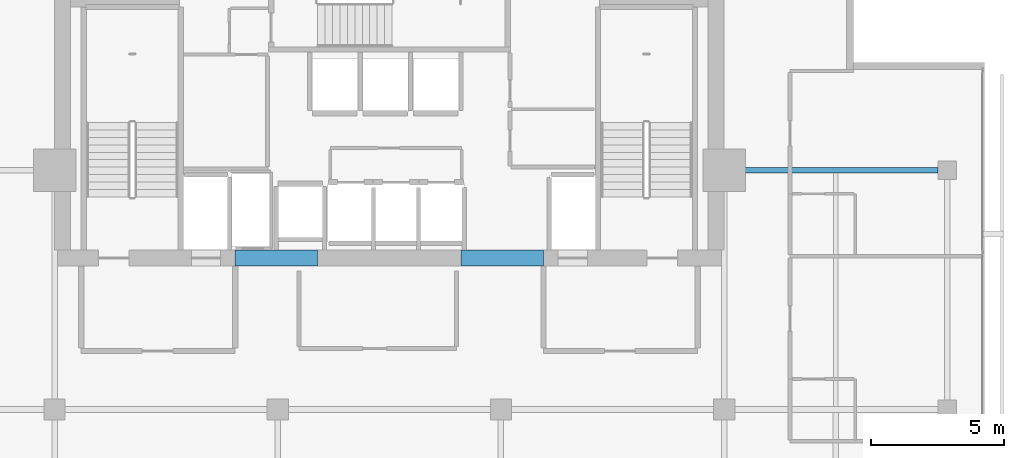
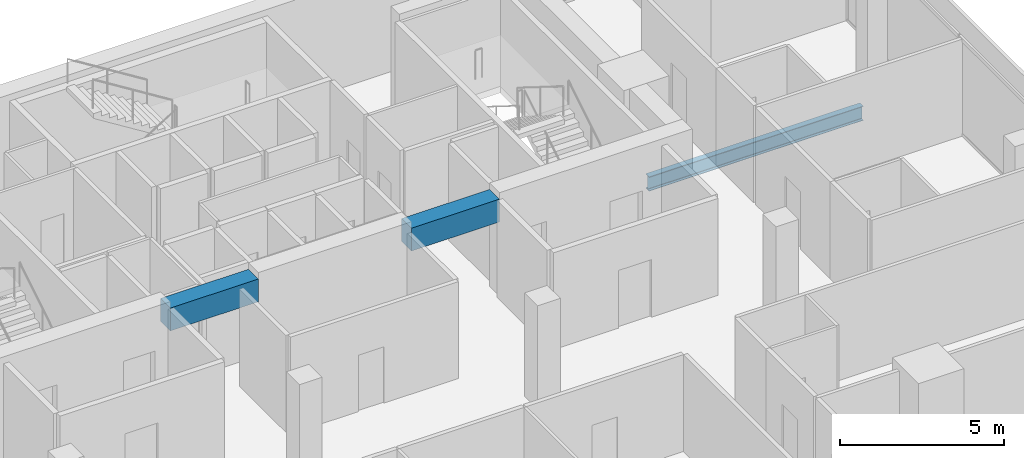
# One storey, part 17 of 26: 3 beams.
"""IFC4 building model written with IfcOpenShell, lengths in metres."""

from ifc_helpers import new_model, si_unit, direction, frame, origin, origin_2d, place, context, subcontext, project, spatial, rectangle, i_section, extrude, material, material_profile, profile_set, type_object, element, save


model = new_model("IFC4")

# Units and contexts
model_context = context("Model", 3, precision=1e-05, world=origin(), true_north=direction((0.0, 1.0)))
body_context = subcontext(model_context, "Body", "Model", "MODEL_VIEW")
ifc_project = project(units=[si_unit("LENGTHUNIT", "METRE"), si_unit("AREAUNIT", "SQUARE_METRE"), si_unit("VOLUMEUNIT", "CUBIC_METRE"), si_unit("PLANEANGLEUNIT", "RADIAN"), si_unit("MASSUNIT", "GRAM", prefix="KILO")], contexts=[model_context])

# Site, building, storey
site_placement = place(None, origin())
site = spatial("IfcSite", under=ifc_project, at=site_placement, CompositionType="ELEMENT")
building_placement = place(site_placement, origin())
building = spatial("IfcBuilding", under=site, at=building_placement, Name="Maruvema Waterfront Hotel and Observation Tower", CompositionType="ELEMENT")
storey_placement = place(building_placement, frame((0.0, 0.0, 258.64990234375)))
storey = spatial("IfcBuildingStorey", under=building, at=storey_placement, Name="L63", CompositionType="ELEMENT", Elevation=258.64990234375)

# Beams
ifc_material_1 = material(Name="Concrete C60/75", Category="concrete")
ifc_material_profile_1 = material_profile(ifc_material_1, rectangle(XDim=0.60009765625, YDim=0.85009765625, at=origin_2d()), Name="CB600x850")
ifc_profile_set_1 = profile_set([ifc_material_profile_1], Name="Concrete C60/75")
beam_type_1 = type_object("IfcBeamType", Name="Core Coupling Lintel Beam CB600x850", PredefinedType="LINTEL", material=ifc_profile_set_1)
for number, where, z_axis, x_axis, name in (
    (1, (32.0, 41.699951171875, 3.18505859375), (1.0, 0.0, 0.0), (0.0, 1.0, 0.0), "L63 Core Coupling Lintel Beam West"),
    (2, (40.5, 41.699951171875, 3.18505859375), (1.0, 0.0, 0.0), (0.0, 1.0, 0.0), "L63 Core Coupling Lintel Beam East"),
):
    element("IfcBeam", number, at=place(storey_placement, frame(where, z_axis=z_axis, x_axis=x_axis)), inside=storey, type_object=beam_type_1, Name=name, PredefinedType="LINTEL", context=body_context, shape_type="SweptSolid", body=[
        extrude(rectangle(XDim=0.60009765625, YDim=0.85009765625, at=origin_2d()), origin(), (0.0, 0.0, 1.0), 3.10009765625),
    ])
ifc_material_2 = material(Name="Steel ASTM A572 Grade 50", Category="steel")
ifc_material_profile_2 = material_profile(ifc_material_2, i_section(OverallWidth=0.208984375, OverallDepth=0.532958984375, WebThickness=0.01025390625, FlangeThickness=0.015625, FilletRadius=0.014892578125, at=origin_2d()), Name="W530x92.0")
ifc_profile_set_2 = profile_set([ifc_material_profile_2], Name="Steel ASTM A572 Grade 50")
beam_type_2 = type_object("IfcBeamType", Name="Primary Floor Girder W530x92.0", PredefinedType="BEAM", material=ifc_profile_set_2)
beam_placement = place(storey_placement, frame((50.89990234375, 45.0, -0.50634765625), z_axis=(1.0, 0.0, 0.0), x_axis=(0.0, 1.0, 0.0)))
element("IfcBeam", 3, at=beam_placement, inside=storey, type_object=beam_type_2, Name="L63 Floor Girder EW-18", PredefinedType="BEAM", context=body_context, shape_type="SweptSolid", body=[
    extrude(i_section(OverallWidth=0.208984375, OverallDepth=0.532958984375, WebThickness=0.01025390625, FlangeThickness=0.015625, FilletRadius=0.014892578125, at=origin_2d()), origin(), (0.0, 0.0, 1.0), 7.550048828125),
])

save(model, "model.ifc")
